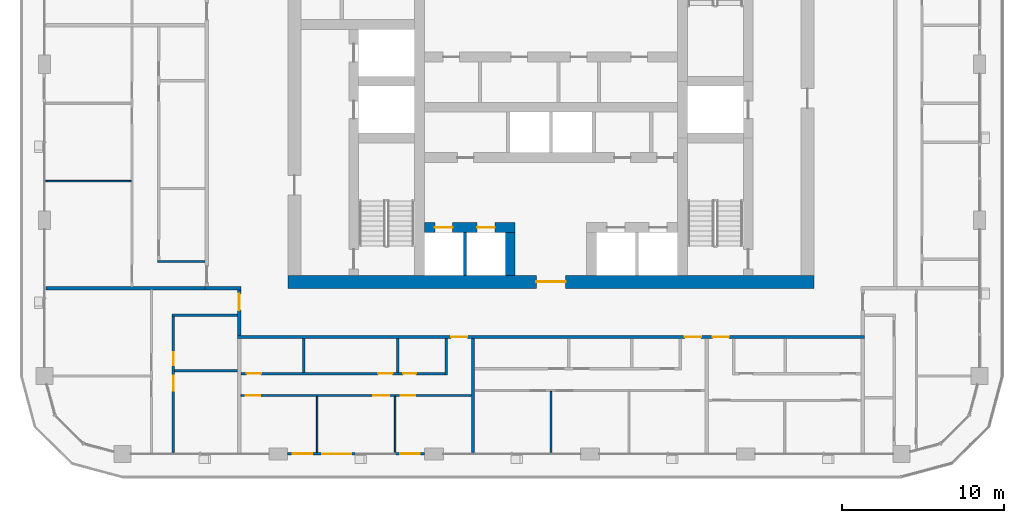
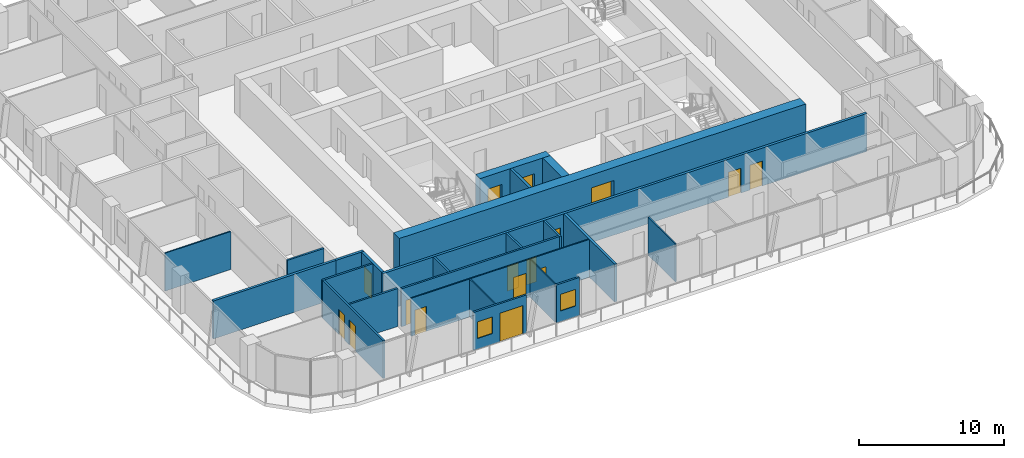
# One storey, part 9 of 22: 24 walls, 16 doors, 2 windows, 18 openings.
"""IFC4 building model written with IfcOpenShell, lengths in metres."""

from ifc_helpers import new_model, si_unit, direction, frame, frame_2d, origin, place, context, subcontext, project, spatial, rectangle, extrude, material, layer, layer_set, type_object, element, fill, save


model = new_model("IFC4")

# Units and contexts
model_context = context("Model", 3, precision=1e-05, world=origin(), true_north=direction((0.0, 1.0)))
body_context = subcontext(model_context, "Body", "Model", "MODEL_VIEW")
ifc_project = project(units=[si_unit("LENGTHUNIT", "METRE"), si_unit("AREAUNIT", "SQUARE_METRE"), si_unit("VOLUMEUNIT", "CUBIC_METRE"), si_unit("PLANEANGLEUNIT", "RADIAN"), si_unit("MASSUNIT", "GRAM", prefix="KILO")], contexts=[model_context])

# Site, building, storey
site_placement = place(None, origin())
site = spatial("IfcSite", under=ifc_project, at=site_placement, CompositionType="ELEMENT")
building_placement = place(site_placement, origin())
building = spatial("IfcBuilding", under=site, at=building_placement, Name="Madar Terraces", CompositionType="ELEMENT")
storey_placement = place(building_placement, frame((0.0, 0.0, 136.60009765625)))
storey = spatial("IfcBuildingStorey", under=building, at=storey_placement, Name="L35", CompositionType="ELEMENT", Elevation=136.60009765625)

# Wall, openings, doors
ifc_material_1 = material(Name="Concrete C70/85", Category="concrete")
ifc_layer_1 = layer(ifc_material_1, 0.60009765625)
ifc_layer_set_1 = layer_set([ifc_layer_1], Name="Concrete C70/85 (CIW3 RC wall 600)")
wall_type_1 = type_object("IfcWallType", Name="CIW3 RC wall 600", PredefinedType="SHEAR", material=ifc_layer_set_1)
wall_1_placement = place(storey_placement, frame((23.39990234375, 18.75, 0.0), z_axis=(0.0, 0.0, 1.0), x_axis=(1.0, 0.0, 0.0)))
wall_1 = element("IfcWall", 1, at=wall_1_placement, inside=storey, type_object=wall_type_1, Name="CORE SHAFT WALL", PredefinedType="SHEAR", context=body_context, shape_type="SweptSolid", body=[
    extrude(rectangle(XDim=5.60009765625, YDim=0.60009765625, at=frame_2d((2.800048828125, 0.0))), origin(), (0.0, 0.0, 1.0), 3.199951171875),
])
opening_1_placement = place(wall_1_placement, frame((0.64990234375, 0.0, 0.0)))
opening_1 = element("IfcOpeningElement", 2, at=opening_1_placement, cuts=wall_1, Name="Opening LD", PredefinedType="OPENING", context=body_context, shape_type="SweptSolid", body=[
    extrude(rectangle(XDim=1.10009765625, YDim=2.10009765625, at=frame_2d((0.550048828125, 1.050048828125))), frame((0.0, 0.31005859375, 0.0), z_axis=(0.0, -1.0, 0.0), x_axis=(1.0, 0.0, 0.0)), (0.0, 0.0, 1.0), 0.6201171875),
])
opening_2_placement = place(wall_1_placement, frame((3.25, 0.0, 0.0)))
opening_2 = element("IfcOpeningElement", 3, at=opening_2_placement, cuts=wall_1, Name="Opening LD", PredefinedType="OPENING", context=body_context, shape_type="SweptSolid", body=[
    extrude(rectangle(XDim=1.10009765625, YDim=2.10009765625, at=frame_2d((0.550048828125, 1.050048828125))), frame((0.0, 0.31005859375, 0.0), z_axis=(0.0, -1.0, 0.0), x_axis=(1.0, 0.0, 0.0)), (0.0, 0.0, 1.0), 0.6201171875),
])
ifc_material_2 = material(Name="Stainless steel panel", Category="steel")
door_type_1 = type_object("IfcDoorType", Name="Lift landing door 1100 x 2100", OperationType="DOUBLE_DOOR_SLIDING", PredefinedType="DOOR", material=ifc_material_2)
door_1_placement = place(opening_1_placement, origin())
door_1 = element("IfcDoor", 4, at=door_1_placement, inside=storey, type_object=door_type_1, Name="LIFT LANDING DOOR", OperationType="DOUBLE_DOOR_SLIDING", OverallHeight=2.10009765625, OverallWidth=1.10009765625, PredefinedType="DOOR", context=body_context, shape_type="SweptSolid", body=[
    extrude(rectangle(XDim=1.10009765625, YDim=2.10009765625, at=frame_2d((0.550048828125, 1.050048828125))), frame((0.0, 0.02490234375, 0.0), z_axis=(0.0, -1.0, 0.0), x_axis=(1.0, 0.0, 0.0)), (0.0, 0.0, 1.0), 0.050048828125),
])
fill(opening_1, door_1)
door_2_placement = place(opening_2_placement, origin())
door_2 = element("IfcDoor", 5, at=door_2_placement, inside=storey, type_object=door_type_1, Name="LIFT LANDING DOOR", OperationType="DOUBLE_DOOR_SLIDING", OverallHeight=2.10009765625, OverallWidth=1.10009765625, PredefinedType="DOOR", context=body_context, shape_type="SweptSolid", body=[
    extrude(rectangle(XDim=1.10009765625, YDim=2.10009765625, at=frame_2d((0.550048828125, 1.050048828125))), frame((0.0, 0.02490234375, 0.0), z_axis=(0.0, -1.0, 0.0), x_axis=(1.0, 0.0, 0.0)), (0.0, 0.0, 1.0), 0.050048828125),
])
fill(opening_2, door_2)

# Wall
wall_2_placement = place(storey_placement, frame((28.699951171875, 15.800048828125, 0.0), z_axis=(0.0, 0.0, 1.0), x_axis=(0.0, 1.0, 0.0)))
element("IfcWall", 6, at=wall_2_placement, inside=storey, type_object=wall_type_1, Name="CORE SHAFT WALL", PredefinedType="SHEAR", context=body_context, shape_type="SweptSolid", body=[
    extrude(rectangle(XDim=2.64990234375, YDim=0.60009765625, at=frame_2d((1.324951171875, 0.0))), origin(), (0.0, 0.0, 1.0), 3.199951171875),
])

# Wall, opening, door
ifc_material_3 = material(Name="Concrete C70/85", Category="concrete")
ifc_layer_2 = layer(ifc_material_3, 0.800048828125)
ifc_layer_set_2 = layer_set([ifc_layer_2], Name="Concrete C70/85 (CRW3 RC wall 800)")
wall_type_2 = type_object("IfcWallType", Name="CRW3 RC wall 800", PredefinedType="SHEAR", material=ifc_layer_set_2)
wall_3_placement = place(storey_placement, frame((15.0, 15.39990234375, 0.0), z_axis=(0.0, 0.0, 1.0), x_axis=(1.0, 0.0, 0.0)))
wall_3 = element("IfcWall", 7, at=wall_3_placement, inside=storey, type_object=wall_type_2, Name="CORE OUTER WALL", PredefinedType="SHEAR", context=body_context, shape_type="SweptSolid", body=[
    extrude(rectangle(XDim=32.39990234375, YDim=0.800048828125, at=frame_2d((16.199951171875, 0.0))), origin(), (0.0, 0.0, 1.0), 3.199951171875),
])
opening_3_placement = place(wall_3_placement, frame((15.300048828125, 0.0, 0.0)))
opening_3 = element("IfcOpeningElement", 8, at=opening_3_placement, cuts=wall_3, Name="Opening KD1", PredefinedType="OPENING", context=body_context, shape_type="SweptSolid", body=[
    extrude(rectangle(XDim=1.800048828125, YDim=2.10009765625, at=frame_2d((0.89990234375, 1.050048828125))), frame((0.0, 0.409912109375, 0.0), z_axis=(0.0, -1.0, 0.0), x_axis=(1.0, 0.0, 0.0)), (0.0, 0.0, 1.0), 0.820068359375),
])
ifc_material_4 = material(Name="Steel door leaf", Category="steel")
door_type_2 = type_object("IfcDoorType", Name="Lobby door pair 1800 x 2100", OperationType="DOUBLE_DOOR_SINGLE_SWING", PredefinedType="DOOR", material=ifc_material_4)
door_3_placement = place(opening_3_placement, frame((1.800048828125, 0.0, 0.0), z_axis=(0.0, 0.0, 1.0), x_axis=(-1.0, 0.0, 0.0)))
door_3 = element("IfcDoor", 9, at=door_3_placement, inside=storey, type_object=door_type_2, Name="LIFT LOBBY DOOR", OperationType="DOUBLE_DOOR_SINGLE_SWING", OverallHeight=2.10009765625, OverallWidth=1.800048828125, PredefinedType="DOOR", context=body_context, shape_type="SweptSolid", body=[
    extrude(rectangle(XDim=1.800048828125, YDim=2.10009765625, at=frame_2d((0.89990234375, 1.050048828125))), frame((0.0, 0.02490234375, 0.0), z_axis=(0.0, -1.0, 0.0), x_axis=(1.0, 0.0, 0.0)), (0.0, 0.0, 1.0), 0.050048828125),
])
fill(opening_3, door_3)

# Wall
ifc_material_5 = material(Name="Concrete C40/50", Category="concrete")
ifc_layer_3 = layer(ifc_material_5, 0.199951171875)
ifc_layer_set_3 = layer_set([ifc_layer_3], Name="Core shaft dividing wall 200 C40/50")
wall_type_3 = type_object("IfcWallType", Name="Core shaft dividing wall 200 C40/50", PredefinedType="SOLIDWALL", material=ifc_layer_set_3)
wall_4_placement = place(storey_placement, frame((25.89990234375, 15.800048828125, 0.0), z_axis=(0.0, 0.0, 1.0), x_axis=(0.0, 1.0, 0.0)))
element("IfcWall", 10, at=wall_4_placement, inside=storey, type_object=wall_type_3, Name="SHAFT DIVIDING WALL", PredefinedType="SOLIDWALL", context=body_context, shape_type="SweptSolid", body=[
    extrude(rectangle(XDim=2.64990234375, YDim=0.199951171875, at=frame_2d((1.324951171875, 0.0))), origin(), (0.0, 0.0, 1.0), 3.199951171875),
])

# Wall, openings, door, window
ifc_material_6 = material(Name="Aluminium composite panel, black, over insulated backing", Category="aluminium")
ifc_layer_4 = layer(ifc_material_6, 0.14990234375)
ifc_layer_set_4 = layer_set([ifc_layer_4], Name="Facade bay panel 150")
wall_type_4 = type_object("IfcWallType", Name="Facade bay panel 150", PredefinedType="SOLIDWALL", material=ifc_layer_set_4)
wall_5_placement = place(storey_placement, frame((14.97509765625, 4.800048828125, 0.0), z_axis=(0.0, 0.0, 1.0), x_axis=(1.0, 0.0, 0.0)))
wall_5 = element("IfcWall", 11, at=wall_5_placement, inside=storey, type_object=wall_type_4, Name="Facade bay panel", PredefinedType="SOLIDWALL", context=body_context, shape_type="SweptSolid", body=[
    extrude(rectangle(XDim=4.224853515625, YDim=0.14990234375, at=frame_2d((2.1123046875, 0.0))), origin(), (0.0, 0.0, 1.0), 3.199951171875),
])
opening_4_placement = place(wall_5_placement, frame((0.3125, 0.0, 0.89990234375)))
opening_4 = element("IfcOpeningElement", 12, at=opening_4_placement, cuts=wall_5, Name="Opening W1", PredefinedType="OPENING", context=body_context, shape_type="SweptSolid", body=[
    extrude(rectangle(XDim=1.199951171875, YDim=1.39990234375, at=frame_2d((0.60009765625, 0.699951171875))), frame((0.0, 0.0849609375, 0.0), z_axis=(0.0, -1.0, 0.0), x_axis=(1.0, 0.0, 0.0)), (0.0, 0.0, 1.0), 0.169921875),
])
opening_5_placement = place(wall_5_placement, frame((2.125, 0.0, 0.0)))
opening_5 = element("IfcOpeningElement", 13, at=opening_5_placement, cuts=wall_5, Name="Opening ED1", PredefinedType="OPENING", context=body_context, shape_type="SweptSolid", body=[
    extrude(rectangle(XDim=1.800048828125, YDim=2.39990234375, at=frame_2d((0.89990234375, 1.199951171875))), frame((0.0, 0.0849609375, 0.0), z_axis=(0.0, -1.0, 0.0), x_axis=(1.0, 0.0, 0.0)), (0.0, 0.0, 1.0), 0.169921875),
])
ifc_material_7 = material(Name="Glass, clear, with black aluminium frame", Category="aluminium")
door_type_3 = type_object("IfcDoorType", Name="Balcony and terrace sliding door 1800 x 2400", OperationType="SLIDING_TO_LEFT", PredefinedType="DOOR", material=ifc_material_7)
door_4_placement = place(opening_5_placement, origin())
door_4 = element("IfcDoor", 14, at=door_4_placement, inside=storey, type_object=door_type_3, Name="Balcony door", OperationType="SLIDING_TO_LEFT", OverallHeight=2.39990234375, OverallWidth=1.800048828125, PredefinedType="DOOR", context=body_context, shape_type="SweptSolid", body=[
    extrude(rectangle(XDim=1.800048828125, YDim=2.39990234375, at=frame_2d((0.89990234375, 1.199951171875))), frame((0.0, 0.02490234375, 0.0), z_axis=(0.0, -1.0, 0.0), x_axis=(1.0, 0.0, 0.0)), (0.0, 0.0, 1.0), 0.050048828125),
])
fill(opening_5, door_4)
ifc_material_8 = material(Name="Glass, clear, with black aluminium frame", Category="aluminium")
window_type = type_object("IfcWindowType", Name="Vent window 1200 x 1400", PartitioningType="SINGLE_PANEL", PredefinedType="WINDOW", material=ifc_material_8)
window_1_placement = place(opening_4_placement, origin())
window_1 = element("IfcWindow", 15, at=window_1_placement, inside=storey, type_object=window_type, Name="Operable vent window", OverallHeight=1.39990234375, OverallWidth=1.199951171875, PartitioningType="SINGLE_PANEL", PredefinedType="WINDOW", context=body_context, shape_type="SweptSolid", body=[
    extrude(rectangle(XDim=1.199951171875, YDim=1.39990234375, at=frame_2d((0.60009765625, 0.699951171875))), frame((0.0, 0.030029296875, 0.0), z_axis=(0.0, -1.0, 0.0), x_axis=(1.0, 0.0, 0.0)), (0.0, 0.0, 1.0), 0.06005859375),
])
fill(opening_4, window_1)

# Wall, opening, window
wall_6_placement = place(storey_placement, frame((21.60009765625, 4.800048828125, 0.0), z_axis=(0.0, 0.0, 1.0), x_axis=(1.0, 0.0, 0.0)))
wall_6 = element("IfcWall", 16, at=wall_6_placement, inside=storey, type_object=wall_type_4, Name="Facade bay panel", PredefinedType="SOLIDWALL", context=body_context, shape_type="SweptSolid", body=[
    extrude(rectangle(XDim=1.824951171875, YDim=0.14990234375, at=frame_2d((0.91259765625, 0.0))), origin(), (0.0, 0.0, 1.0), 3.199951171875),
])
opening_6_placement = place(wall_6_placement, frame((0.3125, 0.0, 0.89990234375)))
opening_6 = element("IfcOpeningElement", 17, at=opening_6_placement, cuts=wall_6, Name="Opening W1", PredefinedType="OPENING", context=body_context, shape_type="SweptSolid", body=[
    extrude(rectangle(XDim=1.199951171875, YDim=1.39990234375, at=frame_2d((0.60009765625, 0.699951171875))), frame((0.0, 0.0849609375, 0.0), z_axis=(0.0, -1.0, 0.0), x_axis=(1.0, 0.0, 0.0)), (0.0, 0.0, 1.0), 0.169921875),
])
window_2_placement = place(opening_6_placement, origin())
window_2 = element("IfcWindow", 18, at=window_2_placement, inside=storey, type_object=window_type, Name="Operable vent window", OverallHeight=1.39990234375, OverallWidth=1.199951171875, PartitioningType="SINGLE_PANEL", PredefinedType="WINDOW", context=body_context, shape_type="SweptSolid", body=[
    extrude(rectangle(XDim=1.199951171875, YDim=1.39990234375, at=frame_2d((0.60009765625, 0.699951171875))), frame((0.0, 0.030029296875, 0.0), z_axis=(0.0, -1.0, 0.0), x_axis=(1.0, 0.0, 0.0)), (0.0, 0.0, 1.0), 0.06005859375),
])
fill(opening_6, window_2)

# Walls
ifc_material_9 = material(Name="Gypsum board on steel studs", Category="steel")
ifc_layer_5 = layer(ifc_material_9, 0.10009765625)
ifc_layer_set_5 = layer_set([ifc_layer_5], Name="Flat partition 100")
wall_type_5 = type_object("IfcWallType", Name="Flat partition 100", PredefinedType="PARTITIONING", material=ifc_layer_set_5)
for number, where, z_axis, x_axis, name in (
    (19, (21.60009765625, 8.35009765625, 0.0), (0.0, 0.0, 1.0), (0.0, -1.0, 0.0), "Flat partition 100"),
    (20, (16.800048828125, 8.35009765625, 0.0), (0.0, 0.0, 1.0), (0.0, -1.0, 0.0), "Flat partition 100"),
):
    element("IfcWall", number, at=place(storey_placement, frame(where, z_axis=z_axis, x_axis=x_axis)), inside=storey, type_object=wall_type_5, Name=name, PredefinedType="PARTITIONING", context=body_context, shape_type="SweptSolid", body=[
        extrude(rectangle(XDim=3.4501953125, YDim=0.10009765625, at=frame_2d((1.72509765625, 0.0))), origin(), (0.0, 0.0, 1.0), 3.199951171875),
    ])

# Wall, openings, doors
wall_7_placement = place(storey_placement, frame((26.300048828125, 8.39990234375, 0.0), z_axis=(0.0, 0.0, 1.0), x_axis=(-1.0, 0.0, 0.0)))
wall_7 = element("IfcWall", 21, at=wall_7_placement, inside=storey, type_object=wall_type_5, Name="Flat partition 100", PredefinedType="PARTITIONING", context=body_context, shape_type="SweptSolid", body=[
    extrude(rectangle(XDim=14.199951171875, YDim=0.10009765625, at=frame_2d((7.10009765625, 0.0))), origin(), (0.0, 0.0, 1.0), 3.199951171875),
])
opening_7_placement = place(wall_7_placement, frame((3.449951171875, 0.0, 0.0)))
opening_7 = element("IfcOpeningElement", 22, at=opening_7_placement, cuts=wall_7, Name="Opening D2", PredefinedType="OPENING", context=body_context, shape_type="SweptSolid", body=[
    extrude(rectangle(XDim=0.89990234375, YDim=2.10009765625, at=frame_2d((0.449951171875, 1.050048828125))), frame((0.0, 0.06005859375, 0.0), z_axis=(0.0, -1.0, 0.0), x_axis=(1.0, 0.0, 0.0)), (0.0, 0.0, 1.0), 0.1201171875),
])
opening_8_placement = place(wall_7_placement, frame((5.050048828125, 0.0, 0.0)))
opening_8 = element("IfcOpeningElement", 23, at=opening_8_placement, cuts=wall_7, Name="Opening D3", PredefinedType="OPENING", context=body_context, shape_type="SweptSolid", body=[
    extrude(rectangle(XDim=1.0, YDim=2.10009765625, at=frame_2d((0.5, 1.050048828125))), frame((0.0, 0.06005859375, 0.0), z_axis=(0.0, -1.0, 0.0), x_axis=(1.0, 0.0, 0.0)), (0.0, 0.0, 1.0), 0.1201171875),
])
opening_9_placement = place(wall_7_placement, frame((13.0, 0.0, 0.0)))
opening_9 = element("IfcOpeningElement", 24, at=opening_9_placement, cuts=wall_7, Name="Opening D2", PredefinedType="OPENING", context=body_context, shape_type="SweptSolid", body=[
    extrude(rectangle(XDim=0.89990234375, YDim=2.10009765625, at=frame_2d((0.449951171875, 1.050048828125))), frame((0.0, 0.06005859375, 0.0), z_axis=(0.0, -1.0, 0.0), x_axis=(1.0, 0.0, 0.0)), (0.0, 0.0, 1.0), 0.1201171875),
])
ifc_material_10 = material(Name="Timber door leaf", Category="wood")
door_type_4 = type_object("IfcDoorType", Name="Flat living room door 1000", OperationType="NOTDEFINED", PredefinedType="DOOR", material=ifc_material_10)
door_5_placement = place(opening_8_placement, origin())
door_5 = element("IfcDoor", 25, at=door_5_placement, inside=storey, type_object=door_type_4, Name="Flat living room door 1000", OperationType="SINGLE_SWING_LEFT", OverallHeight=2.10009765625, OverallWidth=1.0, PredefinedType="DOOR", context=body_context, shape_type="SweptSolid", body=[
    extrude(rectangle(XDim=1.0, YDim=2.10009765625, at=frame_2d((0.5, 1.050048828125))), frame((0.0, 0.02490234375, 0.0), z_axis=(0.0, -1.0, 0.0), x_axis=(1.0, 0.0, 0.0)), (0.0, 0.0, 1.0), 0.050048828125),
])
fill(opening_8, door_5)
ifc_material_11 = material(Name="Timber door leaf", Category="wood")
door_type_5 = type_object("IfcDoorType", Name="Flat room door 900", OperationType="NOTDEFINED", PredefinedType="DOOR", material=ifc_material_11)
door_6_placement = place(opening_7_placement, origin())
door_6 = element("IfcDoor", 26, at=door_6_placement, inside=storey, type_object=door_type_5, Name="Flat room door 900", OperationType="SINGLE_SWING_RIGHT", OverallHeight=2.10009765625, OverallWidth=0.89990234375, PredefinedType="DOOR", context=body_context, shape_type="SweptSolid", body=[
    extrude(rectangle(XDim=0.89990234375, YDim=2.10009765625, at=frame_2d((0.449951171875, 1.050048828125))), frame((0.0, 0.02490234375, 0.0), z_axis=(0.0, -1.0, 0.0), x_axis=(1.0, 0.0, 0.0)), (0.0, 0.0, 1.0), 0.050048828125),
])
fill(opening_7, door_6)
door_7_placement = place(opening_9_placement, origin())
door_7 = element("IfcDoor", 27, at=door_7_placement, inside=storey, type_object=door_type_5, Name="Flat room door 900", OperationType="SINGLE_SWING_RIGHT", OverallHeight=2.10009765625, OverallWidth=0.89990234375, PredefinedType="DOOR", context=body_context, shape_type="SweptSolid", body=[
    extrude(rectangle(XDim=0.89990234375, YDim=2.10009765625, at=frame_2d((0.449951171875, 1.050048828125))), frame((0.0, 0.02490234375, 0.0), z_axis=(0.0, -1.0, 0.0), x_axis=(1.0, 0.0, 0.0)), (0.0, 0.0, 1.0), 0.050048828125),
])
fill(opening_9, door_7)

# Walls
wall_8_placement = place(storey_placement, frame((31.199951171875, 8.64990234375, 0.0), z_axis=(0.0, 0.0, 1.0), x_axis=(0.0, -1.0, 0.0)))
element("IfcWall", 28, at=wall_8_placement, inside=storey, type_object=wall_type_5, Name="Flat partition 100", PredefinedType="PARTITIONING", context=body_context, shape_type="SweptSolid", body=[
    extrude(rectangle(XDim=3.75, YDim=0.10009765625, at=frame_2d((1.875, 0.0))), origin(), (0.0, 0.0, 1.0), 3.199951171875),
])
wall_9_placement = place(storey_placement, frame((5.35009765625, 21.60009765625, 0.0), z_axis=(0.0, 0.0, 1.0), x_axis=(-1.0, 0.0, 0.0)))
element("IfcWall", 29, at=wall_9_placement, inside=storey, type_object=wall_type_5, Name="Flat partition 100", PredefinedType="PARTITIONING", context=body_context, shape_type="SweptSolid", body=[
    extrude(rectangle(XDim=5.25, YDim=0.10009765625, at=frame_2d((2.625, 0.0))), origin(), (0.0, 0.0, 1.0), 3.199951171875),
])

# Wall, openings, doors
ifc_material_12 = material(Name="Lightweight blockwork", Category="masonry")
ifc_layer_6 = layer(ifc_material_12, 0.199951171875)
ifc_layer_set_6 = layer_set([ifc_layer_6], Name="Flat party and entrance wall 200")
wall_type_6 = type_object("IfcWallType", Name="Flat party and entrance wall 200", PredefinedType="PARTITIONING", material=ifc_layer_set_6)
wall_10_placement = place(storey_placement, frame((50.5, 12.0, 0.0), z_axis=(0.0, 0.0, 1.0), x_axis=(-1.0, 0.0, 0.0)))
wall_10 = element("IfcWall", 30, at=wall_10_placement, inside=storey, type_object=wall_type_6, Name="Flat party and entrance wall 200", PredefinedType="PARTITIONING", context=body_context, shape_type="SweptSolid", body=[
    extrude(rectangle(XDim=38.60009765625, YDim=0.199951171875, at=frame_2d((19.300048828125, 0.0))), origin(), (0.0, 0.0, 1.0), 3.199951171875),
])
opening_10_placement = place(wall_10_placement, frame((24.449951171875, 0.0, 0.0)))
opening_10 = element("IfcOpeningElement", 31, at=opening_10_placement, cuts=wall_10, Name="Opening D1", PredefinedType="OPENING", context=body_context, shape_type="SweptSolid", body=[
    extrude(rectangle(XDim=1.0, YDim=2.10009765625, at=frame_2d((0.5, 1.050048828125))), frame((0.0, 0.10986328125, 0.0), z_axis=(0.0, -1.0, 0.0), x_axis=(1.0, 0.0, 0.0)), (0.0, 0.0, 1.0), 0.219970703125),
])
opening_11_placement = place(wall_10_placement, frame((10.050048828125, 0.0, 0.0)))
opening_11 = element("IfcOpeningElement", 32, at=opening_11_placement, cuts=wall_10, Name="Opening D1", PredefinedType="OPENING", context=body_context, shape_type="SweptSolid", body=[
    extrude(rectangle(XDim=1.0, YDim=2.10009765625, at=frame_2d((0.5, 1.050048828125))), frame((0.0, 0.10986328125, 0.0), z_axis=(0.0, -1.0, 0.0), x_axis=(1.0, 0.0, 0.0)), (0.0, 0.0, 1.0), 0.219970703125),
])
opening_12_placement = place(wall_10_placement, frame((8.35009765625, 0.0, 0.0)))
opening_12 = element("IfcOpeningElement", 33, at=opening_12_placement, cuts=wall_10, Name="Opening D1", PredefinedType="OPENING", context=body_context, shape_type="SweptSolid", body=[
    extrude(rectangle(XDim=1.0, YDim=2.10009765625, at=frame_2d((0.5, 1.050048828125))), frame((0.0, 0.10986328125, 0.0), z_axis=(0.0, -1.0, 0.0), x_axis=(1.0, 0.0, 0.0)), (0.0, 0.0, 1.0), 0.219970703125),
])
ifc_material_13 = material(Name="Timber fire door leaf", Category="wood")
door_type_6 = type_object("IfcDoorType", Name="Flat entrance door 1000 FD30S", OperationType="NOTDEFINED", PredefinedType="DOOR", material=ifc_material_13)
door_8_placement = place(opening_10_placement, origin())
door_8 = element("IfcDoor", 34, at=door_8_placement, inside=storey, type_object=door_type_6, Name="Flat entrance door 1000 FD30S", OperationType="SINGLE_SWING_LEFT", OverallHeight=2.10009765625, OverallWidth=1.0, PredefinedType="DOOR", context=body_context, shape_type="SweptSolid", body=[
    extrude(rectangle(XDim=1.0, YDim=2.10009765625, at=frame_2d((0.5, 1.050048828125))), frame((0.0, 0.02490234375, 0.0), z_axis=(0.0, -1.0, 0.0), x_axis=(1.0, 0.0, 0.0)), (0.0, 0.0, 1.0), 0.050048828125),
])
fill(opening_10, door_8)
door_9_placement = place(opening_11_placement, origin())
door_9 = element("IfcDoor", 35, at=door_9_placement, inside=storey, type_object=door_type_6, Name="Flat entrance door 1000 FD30S", OperationType="SINGLE_SWING_LEFT", OverallHeight=2.10009765625, OverallWidth=1.0, PredefinedType="DOOR", context=body_context, shape_type="SweptSolid", body=[
    extrude(rectangle(XDim=1.0, YDim=2.10009765625, at=frame_2d((0.5, 1.050048828125))), frame((0.0, 0.02490234375, 0.0), z_axis=(0.0, -1.0, 0.0), x_axis=(1.0, 0.0, 0.0)), (0.0, 0.0, 1.0), 0.050048828125),
])
fill(opening_11, door_9)
door_10_placement = place(opening_12_placement, origin())
door_10 = element("IfcDoor", 36, at=door_10_placement, inside=storey, type_object=door_type_6, Name="Flat entrance door 1000 FD30S", OperationType="SINGLE_SWING_RIGHT", OverallHeight=2.10009765625, OverallWidth=1.0, PredefinedType="DOOR", context=body_context, shape_type="SweptSolid", body=[
    extrude(rectangle(XDim=1.0, YDim=2.10009765625, at=frame_2d((0.5, 1.050048828125))), frame((0.0, 0.02490234375, 0.0), z_axis=(0.0, -1.0, 0.0), x_axis=(1.0, 0.0, 0.0)), (0.0, 0.0, 1.0), 0.050048828125),
])
fill(opening_12, door_10)

# Wall
wall_11_placement = place(storey_placement, frame((9.89990234375, 15.0, 0.0), z_axis=(0.0, 0.0, 1.0), x_axis=(1.0, 0.0, 0.0)))
element("IfcWall", 37, at=wall_11_placement, inside=storey, type_object=wall_type_6, Name="Flat party and entrance wall 200", PredefinedType="PARTITIONING", context=body_context, shape_type="SweptSolid", body=[
    extrude(rectangle(XDim=2.2001953125, YDim=0.199951171875, at=frame_2d((1.10009765625, 0.0))), origin(), (0.0, 0.0, 1.0), 3.199951171875),
])

# Wall, opening, door
wall_12_placement = place(storey_placement, frame((12.0, 12.10009765625, 0.0), z_axis=(0.0, 0.0, 1.0), x_axis=(0.0, 1.0, 0.0)))
wall_12 = element("IfcWall", 38, at=wall_12_placement, inside=storey, type_object=wall_type_6, Name="Flat party and entrance wall 200", PredefinedType="PARTITIONING", context=body_context, shape_type="SweptSolid", body=[
    extrude(rectangle(XDim=2.7998046875, YDim=0.199951171875, at=frame_2d((1.39990234375, 0.0))), origin(), (0.0, 0.0, 1.0), 3.199951171875),
])
opening_13_placement = place(wall_12_placement, frame((1.550048828125, 0.0, 0.0)))
opening_13 = element("IfcOpeningElement", 39, at=opening_13_placement, cuts=wall_12, Name="Opening D1", PredefinedType="OPENING", context=body_context, shape_type="SweptSolid", body=[
    extrude(rectangle(XDim=1.0, YDim=2.10009765625, at=frame_2d((0.5, 1.050048828125))), frame((0.0, 0.10986328125, 0.0), z_axis=(0.0, -1.0, 0.0), x_axis=(1.0, 0.0, 0.0)), (0.0, 0.0, 1.0), 0.219970703125),
])
door_11_placement = place(opening_13_placement, origin())
door_11 = element("IfcDoor", 40, at=door_11_placement, inside=storey, type_object=door_type_6, Name="Flat entrance door 1000 FD30S", OperationType="SINGLE_SWING_RIGHT", OverallHeight=2.10009765625, OverallWidth=1.0, PredefinedType="DOOR", context=body_context, shape_type="SweptSolid", body=[
    extrude(rectangle(XDim=1.0, YDim=2.10009765625, at=frame_2d((0.5, 1.050048828125))), frame((0.0, 0.02490234375, 0.0), z_axis=(0.0, -1.0, 0.0), x_axis=(1.0, 0.0, 0.0)), (0.0, 0.0, 1.0), 0.050048828125),
])
fill(opening_13, door_11)

# Walls
wall_13_placement = place(storey_placement, frame((26.39990234375, 11.89990234375, 0.0), z_axis=(0.0, 0.0, 1.0), x_axis=(0.0, -1.0, 0.0)))
element("IfcWall", 41, at=wall_13_placement, inside=storey, type_object=wall_type_6, Name="Flat party and entrance wall 200", PredefinedType="PARTITIONING", context=body_context, shape_type="SweptSolid", body=[
    extrude(rectangle(XDim=7.0, YDim=0.199951171875, at=frame_2d((3.5, 0.0))), origin(), (0.0, 0.0, 1.0), 3.199951171875),
])
wall_14_placement = place(storey_placement, frame((0.10009765625, 15.0, 0.0), z_axis=(0.0, 0.0, 1.0), x_axis=(1.0, 0.0, 0.0)))
element("IfcWall", 42, at=wall_14_placement, inside=storey, type_object=wall_type_6, Name="Flat party and entrance wall 200", PredefinedType="PARTITIONING", context=body_context, shape_type="SweptSolid", body=[
    extrude(rectangle(XDim=9.7998046875, YDim=0.199951171875, at=frame_2d((4.89990234375, 0.0))), origin(), (0.0, 0.0, 1.0), 3.199951171875),
])
ifc_material_14 = material(Name="Lightweight blockwork", Category="masonry")
ifc_layer_7 = layer(ifc_material_14, 0.14990234375)
ifc_layer_set_7 = layer_set([ifc_layer_7], Name="Flat wet-room partition 150")
wall_type_7 = type_object("IfcWallType", Name="Flat wet-room partition 150", PredefinedType="PARTITIONING", material=ifc_layer_set_7)
for number, where, z_axis, x_axis, name in (
    (43, (21.773193359375, 11.89990234375, 0.0), (0.0, 0.0, 1.0), (0.0, -1.0, 0.0), "Flat wet-room partition 150"),
    (44, (15.96923828125, 11.89990234375, 0.0), (0.0, 0.0, 1.0), (0.0, -1.0, 0.0), "Flat wet-room partition 150"),
):
    element("IfcWall", number, at=place(storey_placement, frame(where, z_axis=z_axis, x_axis=x_axis)), inside=storey, type_object=wall_type_7, Name=name, PredefinedType="PARTITIONING", context=body_context, shape_type="SweptSolid", body=[
        extrude(rectangle(XDim=2.074951171875, YDim=0.14990234375, at=frame_2d((1.03759765625, 0.0))), origin(), (0.0, 0.0, 1.0), 3.199951171875),
    ])
wall_15_placement = place(storey_placement, frame((24.75, 11.89990234375, 0.0), z_axis=(0.0, 0.0, 1.0), x_axis=(0.0, -1.0, 0.0)))
element("IfcWall", 45, at=wall_15_placement, inside=storey, type_object=wall_type_7, Name="Flat wet-room partition 150", PredefinedType="PARTITIONING", context=body_context, shape_type="SweptSolid", body=[
    extrude(rectangle(XDim=2.224853515625, YDim=0.14990234375, at=frame_2d((1.1123046875, 0.0))), origin(), (0.0, 0.0, 1.0), 3.199951171875),
])

# Wall, openings, doors
wall_16_placement = place(storey_placement, frame((12.10009765625, 9.75, 0.0), z_axis=(0.0, 0.0, 1.0), x_axis=(1.0, 0.0, 0.0)))
wall_16 = element("IfcWall", 46, at=wall_16_placement, inside=storey, type_object=wall_type_7, Name="Flat wet-room partition 150", PredefinedType="PARTITIONING", context=body_context, shape_type="SweptSolid", body=[
    extrude(rectangle(XDim=12.574951171875, YDim=0.14990234375, at=frame_2d((6.28759765625, 0.0))), origin(), (0.0, 0.0, 1.0), 3.199951171875),
])
opening_14_placement = place(wall_16_placement, frame((9.998046875, 0.0, 0.0)))
opening_14 = element("IfcOpeningElement", 47, at=opening_14_placement, cuts=wall_16, Name="Opening D4", PredefinedType="OPENING", context=body_context, shape_type="SweptSolid", body=[
    extrude(rectangle(XDim=0.800048828125, YDim=2.10009765625, at=frame_2d((0.39990234375, 1.050048828125))), frame((0.0, 0.0849609375, 0.0), z_axis=(0.0, -1.0, 0.0), x_axis=(1.0, 0.0, 0.0)), (0.0, 0.0, 1.0), 0.169921875),
])
opening_15_placement = place(wall_16_placement, frame((8.447998046875, 0.0, 0.0)))
opening_15 = element("IfcOpeningElement", 48, at=opening_15_placement, cuts=wall_16, Name="Opening D2", PredefinedType="OPENING", context=body_context, shape_type="SweptSolid", body=[
    extrude(rectangle(XDim=0.89990234375, YDim=2.10009765625, at=frame_2d((0.449951171875, 1.050048828125))), frame((0.0, 0.0849609375, 0.0), z_axis=(0.0, -1.0, 0.0), x_axis=(1.0, 0.0, 0.0)), (0.0, 0.0, 1.0), 0.169921875),
])
opening_16_placement = place(wall_16_placement, frame((0.35009765625, 0.0, 0.0)))
opening_16 = element("IfcOpeningElement", 49, at=opening_16_placement, cuts=wall_16, Name="Opening D5", PredefinedType="OPENING", context=body_context, shape_type="SweptSolid", body=[
    extrude(rectangle(XDim=0.89990234375, YDim=2.10009765625, at=frame_2d((0.449951171875, 1.050048828125))), frame((0.0, 0.0849609375, 0.0), z_axis=(0.0, -1.0, 0.0), x_axis=(1.0, 0.0, 0.0)), (0.0, 0.0, 1.0), 0.169921875),
])
ifc_material_15 = material(Name="Timber door leaf", Category="wood")
door_type_7 = type_object("IfcDoorType", Name="Flat accessible bathroom door 900", OperationType="NOTDEFINED", PredefinedType="DOOR", material=ifc_material_15)
door_12_placement = place(opening_16_placement, origin())
door_12 = element("IfcDoor", 50, at=door_12_placement, inside=storey, type_object=door_type_7, Name="Flat accessible bathroom door 900", OperationType="SINGLE_SWING_LEFT", OverallHeight=2.10009765625, OverallWidth=0.89990234375, PredefinedType="DOOR", context=body_context, shape_type="SweptSolid", body=[
    extrude(rectangle(XDim=0.89990234375, YDim=2.10009765625, at=frame_2d((0.449951171875, 1.050048828125))), frame((0.0, 0.02490234375, 0.0), z_axis=(0.0, -1.0, 0.0), x_axis=(1.0, 0.0, 0.0)), (0.0, 0.0, 1.0), 0.050048828125),
])
fill(opening_16, door_12)
ifc_material_16 = material(Name="Timber door leaf", Category="wood")
door_type_8 = type_object("IfcDoorType", Name="Flat bathroom door 800", OperationType="NOTDEFINED", PredefinedType="DOOR", material=ifc_material_16)
door_13_placement = place(opening_14_placement, origin())
door_13 = element("IfcDoor", 51, at=door_13_placement, inside=storey, type_object=door_type_8, Name="Flat bathroom door 800", OperationType="SINGLE_SWING_LEFT", OverallHeight=2.10009765625, OverallWidth=0.800048828125, PredefinedType="DOOR", context=body_context, shape_type="SweptSolid", body=[
    extrude(rectangle(XDim=0.800048828125, YDim=2.10009765625, at=frame_2d((0.39990234375, 1.050048828125))), frame((0.0, 0.02490234375, 0.0), z_axis=(0.0, -1.0, 0.0), x_axis=(1.0, 0.0, 0.0)), (0.0, 0.0, 1.0), 0.050048828125),
])
fill(opening_14, door_13)
door_14_placement = place(opening_15_placement, origin())
door_14 = element("IfcDoor", 52, at=door_14_placement, inside=storey, type_object=door_type_5, Name="Flat room door 900", OperationType="SINGLE_SWING_RIGHT", OverallHeight=2.10009765625, OverallWidth=0.89990234375, PredefinedType="DOOR", context=body_context, shape_type="SweptSolid", body=[
    extrude(rectangle(XDim=0.89990234375, YDim=2.10009765625, at=frame_2d((0.449951171875, 1.050048828125))), frame((0.0, 0.02490234375, 0.0), z_axis=(0.0, -1.0, 0.0), x_axis=(1.0, 0.0, 0.0)), (0.0, 0.0, 1.0), 0.050048828125),
])
fill(opening_15, door_14)

# Walls
wall_17_placement = place(storey_placement, frame((9.89990234375, 16.64990234375, 0.0), z_axis=(0.0, 0.0, 1.0), x_axis=(-1.0, 0.0, 0.0)))
element("IfcWall", 53, at=wall_17_placement, inside=storey, type_object=wall_type_7, Name="Flat wet-room partition 150", PredefinedType="PARTITIONING", context=body_context, shape_type="SweptSolid", body=[
    extrude(rectangle(XDim=2.9248046875, YDim=0.14990234375, at=frame_2d((1.46240234375, 0.0))), origin(), (0.0, 0.0, 1.0), 3.199951171875),
])
wall_18_placement = place(storey_placement, frame((11.89990234375, 9.925048828125, 0.0), z_axis=(0.0, 0.0, 1.0), x_axis=(-1.0, 0.0, 0.0)))
element("IfcWall", 54, at=wall_18_placement, inside=storey, type_object=wall_type_7, Name="Flat wet-room partition 150", PredefinedType="PARTITIONING", context=body_context, shape_type="SweptSolid", body=[
    extrude(rectangle(XDim=3.875, YDim=0.14990234375, at=frame_2d((1.9375, 0.0))), origin(), (0.0, 0.0, 1.0), 3.199951171875),
])
wall_19_placement = place(storey_placement, frame((11.89990234375, 13.35009765625, 0.0), z_axis=(0.0, 0.0, 1.0), x_axis=(-1.0, 0.0, 0.0)))
element("IfcWall", 55, at=wall_19_placement, inside=storey, type_object=wall_type_7, Name="Flat wet-room partition 150", PredefinedType="PARTITIONING", context=body_context, shape_type="SweptSolid", body=[
    extrude(rectangle(XDim=4.02490234375, YDim=0.14990234375, at=frame_2d((2.012451171875, 0.0))), origin(), (0.0, 0.0, 1.0), 3.199951171875),
])

# Wall, openings, doors
wall_20_placement = place(storey_placement, frame((7.949951171875, 13.27490234375, 0.0), z_axis=(0.0, 0.0, 1.0), x_axis=(0.0, -1.0, 0.0)))
wall_20 = element("IfcWall", 56, at=wall_20_placement, inside=storey, type_object=wall_type_7, Name="Flat wet-room partition 150", PredefinedType="PARTITIONING", context=body_context, shape_type="SweptSolid", body=[
    extrude(rectangle(XDim=8.375, YDim=0.14990234375, at=frame_2d((4.1875, 0.0))), origin(), (0.0, 0.0, 1.0), 3.199951171875),
])
opening_17_placement = place(wall_20_placement, frame((2.22509765625, 0.0, 0.0)))
opening_17 = element("IfcOpeningElement", 57, at=opening_17_placement, cuts=wall_20, Name="Opening D4", PredefinedType="OPENING", context=body_context, shape_type="SweptSolid", body=[
    extrude(rectangle(XDim=0.800048828125, YDim=2.10009765625, at=frame_2d((0.39990234375, 1.050048828125))), frame((0.0, 0.0849609375, 0.0), z_axis=(0.0, -1.0, 0.0), x_axis=(1.0, 0.0, 0.0)), (0.0, 0.0, 1.0), 0.169921875),
])
opening_18_placement = place(wall_20_placement, frame((3.675048828125, 0.0, 0.0)))
opening_18 = element("IfcOpeningElement", 58, at=opening_18_placement, cuts=wall_20, Name="Opening D2", PredefinedType="OPENING", context=body_context, shape_type="SweptSolid", body=[
    extrude(rectangle(XDim=0.89990234375, YDim=2.10009765625, at=frame_2d((0.449951171875, 1.050048828125))), frame((0.0, 0.0849609375, 0.0), z_axis=(0.0, -1.0, 0.0), x_axis=(1.0, 0.0, 0.0)), (0.0, 0.0, 1.0), 0.169921875),
])
door_15_placement = place(opening_17_placement, origin())
door_15 = element("IfcDoor", 59, at=door_15_placement, inside=storey, type_object=door_type_8, Name="Flat bathroom door 800", OperationType="SINGLE_SWING_RIGHT", OverallHeight=2.10009765625, OverallWidth=0.800048828125, PredefinedType="DOOR", context=body_context, shape_type="SweptSolid", body=[
    extrude(rectangle(XDim=0.800048828125, YDim=2.10009765625, at=frame_2d((0.39990234375, 1.050048828125))), frame((0.0, 0.02490234375, 0.0), z_axis=(0.0, -1.0, 0.0), x_axis=(1.0, 0.0, 0.0)), (0.0, 0.0, 1.0), 0.050048828125),
])
fill(opening_17, door_15)
door_16_placement = place(opening_18_placement, origin())
door_16 = element("IfcDoor", 60, at=door_16_placement, inside=storey, type_object=door_type_5, Name="Flat room door 900", OperationType="SINGLE_SWING_LEFT", OverallHeight=2.10009765625, OverallWidth=0.89990234375, PredefinedType="DOOR", context=body_context, shape_type="SweptSolid", body=[
    extrude(rectangle(XDim=0.89990234375, YDim=2.10009765625, at=frame_2d((0.449951171875, 1.050048828125))), frame((0.0, 0.02490234375, 0.0), z_axis=(0.0, -1.0, 0.0), x_axis=(1.0, 0.0, 0.0)), (0.0, 0.0, 1.0), 0.050048828125),
])
fill(opening_18, door_16)

save(model, "model.ifc")
